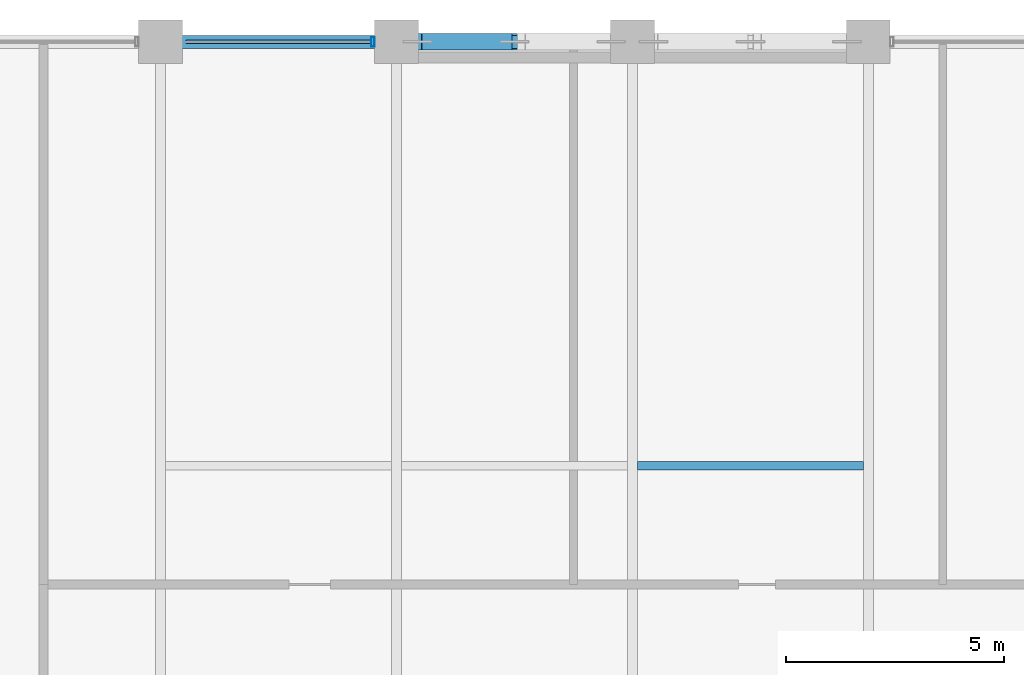
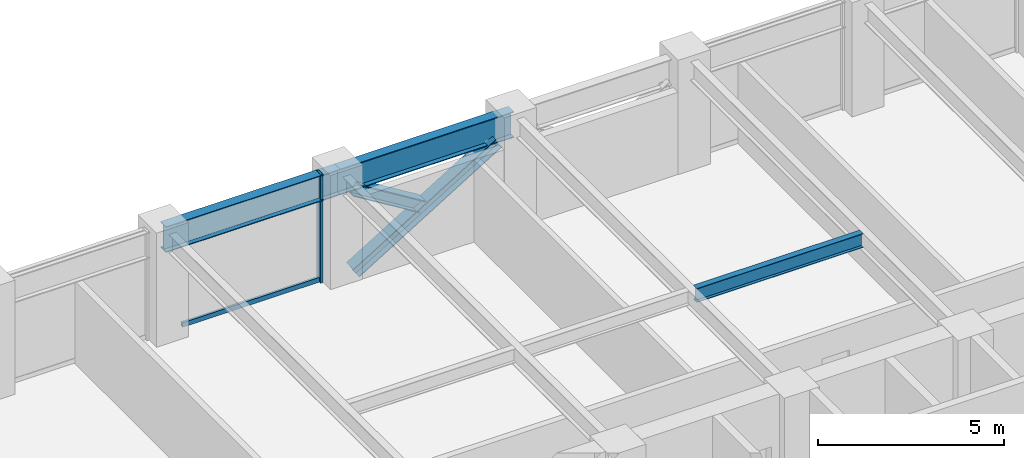
# One storey, part 14 of 26: 4 members, 3 beams, 1 element without a shape of its own.
"""IFC4 building model written with IfcOpenShell, lengths in metres."""

from ifc_helpers import new_model, si_unit, direction, frame, origin, origin_2d, place, context, subcontext, project, spatial, hollow_rectangle, i_section, extrude, material, layer, layer_set, material_profile, profile_set, type_object, element, aggregate, save


model = new_model("IFC4")

# Units and contexts
model_context = context("Model", 3, precision=1e-05, world=origin(), true_north=direction((0.0, 1.0)))
body_context = subcontext(model_context, "Body", "Model", "MODEL_VIEW")
ifc_project = project(units=[si_unit("LENGTHUNIT", "METRE"), si_unit("AREAUNIT", "SQUARE_METRE"), si_unit("VOLUMEUNIT", "CUBIC_METRE"), si_unit("PLANEANGLEUNIT", "RADIAN"), si_unit("MASSUNIT", "GRAM", prefix="KILO")], contexts=[model_context])

# Site, building, storey
site_placement = place(None, origin())
site = spatial("IfcSite", under=ifc_project, at=site_placement, CompositionType="ELEMENT")
building_placement = place(site_placement, origin())
building = spatial("IfcBuilding", under=site, at=building_placement, Name="Surkhivell Harbour Commons", CompositionType="ELEMENT")
storey_placement = place(building_placement, frame((0.0, 0.0, 143.25)))
storey = spatial("IfcBuildingStorey", under=building, at=storey_placement, Name="L37", CompositionType="ELEMENT", Elevation=143.25)

# Beams
ifc_material_1 = material(Name="Steel S355", Category="steel")
ifc_material_profile_1 = material_profile(ifc_material_1, i_section(OverallWidth=0.18994140625, OverallDepth=0.45703125, WebThickness=0.009033203125, FlangeThickness=0.014404296875, at=origin_2d()), Name="UB457x191x74")
ifc_profile_set_1 = profile_set([ifc_material_profile_1], Name="Steel S355")
beam_type_1 = type_object("IfcBeamType", Name="BM-JST-457B", PredefinedType="JOIST", material=ifc_profile_set_1)
beam_1_placement = place(storey_placement, frame((0.113037109375, 16.199951171875, 3.341552734375), z_axis=(1.0, 0.0, 0.0), x_axis=(0.0, 1.0, 0.0)))
element("IfcBeam", 1, at=beam_1_placement, inside=storey, type_object=beam_type_1, Name="L37 North Composite Joist (0.0)", PredefinedType="JOIST", context=body_context, shape_type="SweptSolid", body=[
    extrude(i_section(OverallWidth=0.18994140625, OverallDepth=0.45703125, WebThickness=0.009033203125, FlangeThickness=0.014404296875, at=origin_2d()), origin(), (0.0, 0.0, 1.0), 5.174072265625),
])
ifc_material_2 = material(Name="Steel S460", Category="steel")
ifc_material_profile_2 = material_profile(ifc_material_2, i_section(OverallWidth=0.2939453125, OverallDepth=0.85107421875, WebThickness=0.01611328125, FlangeThickness=0.02685546875, at=origin_2d()), Name="UB838x292x226")
ifc_profile_set_2 = profile_set([ifc_material_profile_2], Name="Steel S460")
beam_type_2 = type_object("IfcBeamType", Name="BM-SPN-838", PredefinedType="SPANDREL", material=ifc_profile_set_2)
beam_2_placement = place(storey_placement, frame((-10.800048828125, 25.89990234375, 3.14453125), z_axis=(1.0, 0.0, 0.0), x_axis=(0.0, 1.0, 0.0)))
element("IfcBeam", 2, at=beam_2_placement, inside=storey, type_object=beam_type_2, Name="L37 Tube Spandrel (-10.8,25.9)", PredefinedType="SPANDREL", context=body_context, shape_type="SweptSolid", body=[
    extrude(i_section(OverallWidth=0.2939453125, OverallDepth=0.85107421875, WebThickness=0.01611328125, FlangeThickness=0.02685546875, at=origin_2d()), origin(), (0.0, 0.0, 1.0), 5.400146484375),
])
beam_3_placement = place(storey_placement, frame((-5.39990234375, 25.89990234375, 3.14453125), z_axis=(1.0, 0.0, 0.0), x_axis=(0.0, 1.0, 0.0)))
element("IfcBeam", 3, at=beam_3_placement, inside=storey, type_object=beam_type_2, Name="L37 Tube Spandrel (-5.4,25.9)", PredefinedType="SPANDREL", context=body_context, shape_type="SweptSolid", body=[
    extrude(i_section(OverallWidth=0.2939453125, OverallDepth=0.85107421875, WebThickness=0.01611328125, FlangeThickness=0.02685546875, at=origin_2d()), origin(), (0.0, 0.0, 1.0), 5.39990234375),
])

# Curtain wall, members
ifc_material_3 = material(Name="Anodised pale-metal aluminium and insulated glazing", Category="aluminium")
ifc_layer = layer(ifc_material_3, 0.205078125)
ifc_layer_set = layer_set([ifc_layer], Name="Anodised pale-metal aluminium and insulated glazing")
curtain_wall_type = type_object("IfcCurtainWallType", Name="CW-SYS-Z2", PredefinedType="NOTDEFINED", material=ifc_layer_set)
curtain_wall_placement = place(storey_placement, origin())
curtain_wall = element("IfcCurtainWall", 4, at=curtain_wall_placement, inside=storey, type_object=curtain_wall_type, Name="L37 Curtain Wall CW-L37-E07S2", PredefinedType="NOTDEFINED")
ifc_material_4 = material(Name="Anodised pale-metal aluminium alloy 6063-T6", Category="aluminium")
ifc_material_profile_3 = material_profile(ifc_material_4, hollow_rectangle(XDim=0.074951171875, YDim=0.219970703125, WallThickness=0.00390625, at=origin_2d()), Name="ALU-MULL-75x220")
ifc_profile_set_3 = profile_set([ifc_material_profile_3], Name="Anodised pale-metal aluminium alloy 6063-T6")
member_type_1 = type_object("IfcMemberType", Name="CWM-220", PredefinedType="MULLION", material=ifc_profile_set_3)
member_1_placement = place(storey_placement, frame((-5.939453125, 25.89990234375, 0.0), z_axis=(0.0, 0.0, 1.0), x_axis=(-1.0, 0.0, 0.0)))
member_1 = element("IfcMember", 5, at=member_1_placement, type_object=member_type_1, Name="CW-Z2 mullion 1", PredefinedType="MULLION", context=body_context, shape_type="SweptSolid", body=[
    extrude(hollow_rectangle(XDim=0.074951171875, YDim=0.219970703125, WallThickness=0.00390625, at=origin_2d()), origin(), (0.0, 0.0, 1.0), 3.570068359375),
])
ifc_material_profile_4 = material_profile(ifc_material_4, hollow_rectangle(XDim=0.074951171875, YDim=0.14990234375, WallThickness=0.00341796875, at=origin_2d()), Name="ALU-TRAN-75x150")
ifc_profile_set_4 = profile_set([ifc_material_profile_4], Name="Anodised pale-metal aluminium alloy 6063-T6")
member_type_2 = type_object("IfcMemberType", Name="CWT-150", PredefinedType="USERDEFINED", material=ifc_profile_set_4)
member_2_placement = place(storey_placement, frame((-5.97705078125, 25.89990234375, 0.074951171875), z_axis=(-1.0, 0.0, 0.0), x_axis=(0.0, -1.0, 0.0)))
member_2 = element("IfcMember", 6, at=member_2_placement, type_object=member_type_2, Name="CW-Z2 transom 1.1", ObjectType="TRANSOM", PredefinedType="USERDEFINED", context=body_context, shape_type="SweptSolid", body=[
    extrude(hollow_rectangle(XDim=0.074951171875, YDim=0.14990234375, WallThickness=0.00341796875, at=origin_2d()), origin(), (0.0, 0.0, 1.0), 4.245849609375),
])
aggregate(curtain_wall, [member_1, member_2])

# Members
ifc_material_profile_5 = material_profile(ifc_material_2, i_section(OverallWidth=0.375, OverallDepth=0.375, WebThickness=0.0166015625, FlangeThickness=0.027099609375, at=origin_2d()), Name="UC356x368x202")
ifc_profile_set_5 = profile_set([ifc_material_profile_5], Name="Steel S460")
member_type_3 = type_object("IfcMemberType", Name="MEM-BRC-UC356", PredefinedType="BRACE", material=ifc_profile_set_5)
member_3_placement = place(storey_placement, frame((-4.9150390625, 25.89990234375, 0.008056640625), z_axis=(0.852624888477, 0.0, 0.522523491864), x_axis=(0.0, 1.0, 0.0)))
element("IfcMember", 7, at=member_3_placement, inside=storey, type_object=member_type_3, Name="L37 Perimeter Mega-Brace MB- 01", PredefinedType="BRACE", context=body_context, shape_type="SweptSolid", body=[
    extrude(i_section(OverallWidth=0.375, OverallDepth=0.375, WebThickness=0.0166015625, FlangeThickness=0.027099609375, at=origin_2d()), origin(), (0.0, 0.0, 1.0), 5.195556640625),
])
member_4_placement = place(storey_placement, frame((-2.853515625, 25.89990234375, 1.459716796875), z_axis=(-0.852662200332, 0.0, 0.522462603567), x_axis=(0.0, -1.0, 0.0)))
element("IfcMember", 8, at=member_4_placement, inside=storey, type_object=member_type_3, Name="L37 Perimeter Mega-Brace MB- 03", PredefinedType="BRACE", context=body_context, shape_type="SweptSolid", body=[
    extrude(i_section(OverallWidth=0.375, OverallDepth=0.375, WebThickness=0.0166015625, FlangeThickness=0.027099609375, at=origin_2d()), origin(), (0.0, 0.0, 1.0), 2.417724609375),
])

save(model, "model.ifc")
